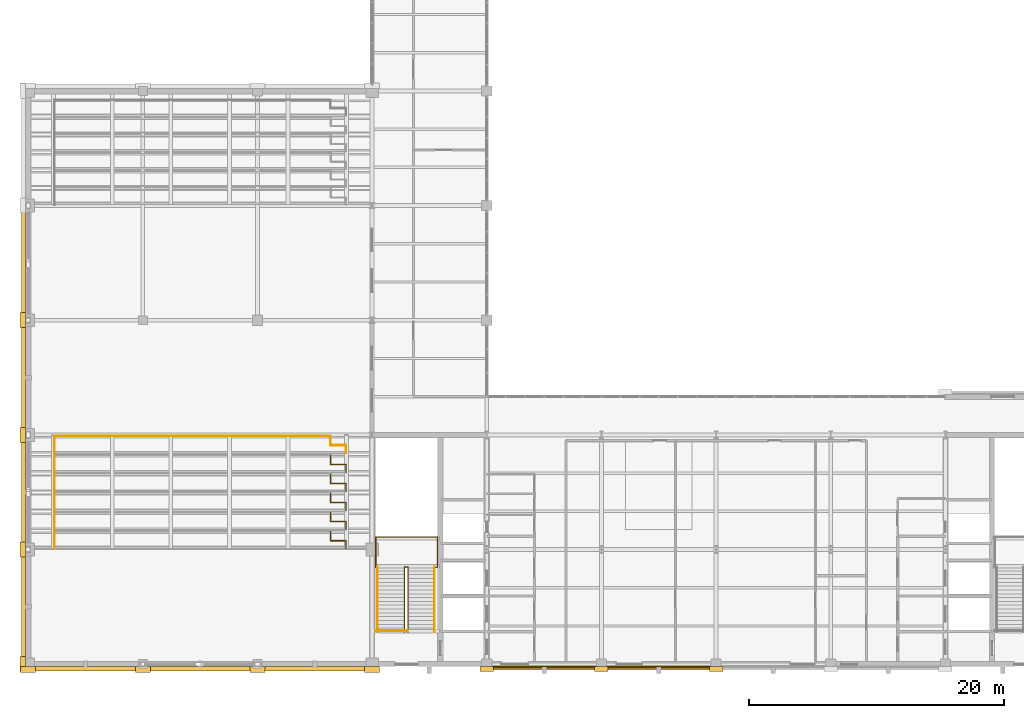
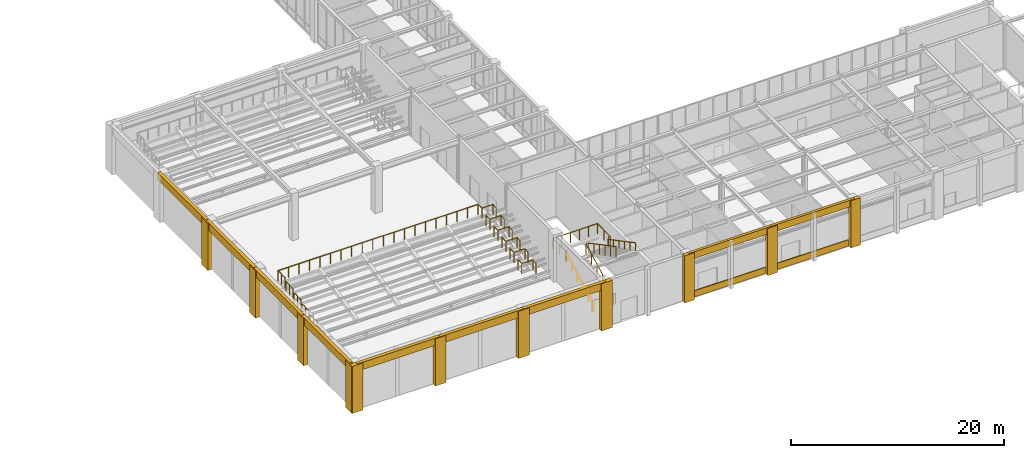
# One storey, part 72 of 77: 22 coverings, 16 railings.
"""IFC4 building model written with IfcOpenShell, lengths in metres."""

from ifc_helpers import new_model, si_unit, direction, frame, origin, origin_2d, place, context, subcontext, project, spatial, rectangle, circle, extrude, material, layer, layer_set, type_object, element, save


model = new_model("IFC4")

# Units and contexts
model_context = context("Model", 3, precision=1e-05, world=origin(), true_north=direction((0.0, 1.0)))
body_context = subcontext(model_context, "Body", "Model", "MODEL_VIEW")
ifc_project = project(units=[si_unit("LENGTHUNIT", "METRE"), si_unit("AREAUNIT", "SQUARE_METRE"), si_unit("VOLUMEUNIT", "CUBIC_METRE"), si_unit("PLANEANGLEUNIT", "RADIAN"), si_unit("MASSUNIT", "GRAM", prefix="KILO")], contexts=[model_context])

# Site, building, storey
site_placement = place(None, origin())
site = spatial("IfcSite", under=ifc_project, at=site_placement, CompositionType="ELEMENT")
building_placement = place(site_placement, origin())
building = spatial("IfcBuilding", under=site, at=building_placement, Name="Lykobir Media Centre", CompositionType="ELEMENT")
storey_placement = place(building_placement, origin())
storey = spatial("IfcBuildingStorey", under=building, at=storey_placement, Name="L00", CompositionType="ELEMENT", Elevation=0.0)

# Coverings
ifc_material_1 = material(Name="Honed Travertine Stone", Category="masonry")
ifc_layer = layer(ifc_material_1, 0.050048828125, Name="Honed Travertine Stone")
ifc_layer_set = layer_set([ifc_layer], Name="Honed Travertine Stone")
covering_type = type_object("IfcCoveringType", Name="CLD-TRAV", PredefinedType="CLADDING", material=ifc_layer_set)
covering_1_placement = place(storey_placement, frame((-0.360107421875, 31.5, 4.56005859375), z_axis=(0.0, 0.0, 1.0), x_axis=(0.0, -1.0, 0.0)))
element("IfcCovering", 1, at=covering_1_placement, inside=storey, type_object=covering_type, Name="Acoustic hall cornice band 152", PredefinedType="CLADDING", context=body_context, shape_type="SweptSolid", body=[
    extrude(rectangle(XDim=9.0, YDim=0.340087890625, at=origin_2d()), origin(), (0.0, 0.0, 1.0), 0.840087890625),
])
covering_2_placement = place(storey_placement, frame((-0.419921875, 27.0, 0.0), z_axis=(0.0, 0.0, 1.0), x_axis=(0.0, -1.0, 0.0)))
element("IfcCovering", 2, at=covering_2_placement, inside=storey, type_object=covering_type, Name="Stone pilaster 154", PredefinedType="CLADDING", context=body_context, shape_type="SweptSolid", body=[
    extrude(rectangle(XDim=1.179931640625, YDim=0.43994140625, at=origin_2d()), origin(), (0.0, 0.0, 1.0), 5.39990234375),
])
covering_3_placement = place(storey_placement, frame((-0.360107421875, 4.5, 4.56005859375), z_axis=(0.0, 0.0, 1.0), x_axis=(0.0, -1.0, 0.0)))
element("IfcCovering", 3, at=covering_3_placement, inside=storey, type_object=covering_type, Name="Acoustic hall cornice band 157", PredefinedType="CLADDING", context=body_context, shape_type="SweptSolid", body=[
    extrude(rectangle(XDim=9.0, YDim=0.340087890625, at=origin_2d()), origin(), (0.0, 0.0, 1.0), 0.840087890625),
])
for number, where, z_axis, x_axis, name in (
    (4, (-0.419921875, 9.0, 0.0), (0.0, 0.0, 1.0), (0.0, -1.0, 0.0), "Stone pilaster 158"),
    (5, (-0.419921875, 0.0, 0.0), (0.0, 0.0, 1.0), (0.0, -1.0, 0.0), "Stone pilaster 159"),
):
    element("IfcCovering", number, at=place(storey_placement, frame(where, z_axis=z_axis, x_axis=x_axis)), inside=storey, type_object=covering_type, Name=name, PredefinedType="CLADDING", context=body_context, shape_type="SweptSolid", body=[
        extrude(rectangle(XDim=1.179931640625, YDim=0.43994140625, at=origin_2d()), origin(), (0.0, 0.0, 1.0), 5.39990234375),
    ])
covering_4_placement = place(storey_placement, frame((-0.360107421875, 13.5, 4.56005859375), z_axis=(0.0, 0.0, 1.0), x_axis=(0.0, -1.0, 0.0)))
element("IfcCovering", 6, at=covering_4_placement, inside=storey, type_object=covering_type, Name="Acoustic hall cornice band 160", PredefinedType="CLADDING", context=body_context, shape_type="SweptSolid", body=[
    extrude(rectangle(XDim=9.0, YDim=0.340087890625, at=origin_2d()), origin(), (0.0, 0.0, 1.0), 0.840087890625),
])
covering_5_placement = place(storey_placement, frame((-0.419921875, 18.0, 0.0), z_axis=(0.0, 0.0, 1.0), x_axis=(0.0, -1.0, 0.0)))
element("IfcCovering", 7, at=covering_5_placement, inside=storey, type_object=covering_type, Name="Stone pilaster 161", PredefinedType="CLADDING", context=body_context, shape_type="SweptSolid", body=[
    extrude(rectangle(XDim=1.179931640625, YDim=0.43994140625, at=origin_2d()), origin(), (0.0, 0.0, 1.0), 5.39990234375),
])
for number, where, z_axis, x_axis, name in (
    (8, (-0.360107421875, 22.5, 4.56005859375), (0.0, 0.0, 1.0), (0.0, -1.0, 0.0), "Acoustic hall cornice band 162"),
    (9, (4.5, -0.360107421875, 4.56005859375), (0.0, 0.0, 1.0), (1.0, 0.0, 0.0), "Acoustic hall cornice band 163"),
):
    element("IfcCovering", number, at=place(storey_placement, frame(where, z_axis=z_axis, x_axis=x_axis)), inside=storey, type_object=covering_type, Name=name, PredefinedType="CLADDING", context=body_context, shape_type="SweptSolid", body=[
        extrude(rectangle(XDim=9.0, YDim=0.340087890625, at=origin_2d()), origin(), (0.0, 0.0, 1.0), 0.840087890625),
    ])
for number, where, z_axis, x_axis, name in (
    (10, (0.0, -0.419921875, 0.0), (0.0, 0.0, 1.0), (1.0, 0.0, 0.0), "Stone pilaster 164"),
    (11, (9.0, -0.419921875, 0.0), (0.0, 0.0, 1.0), (1.0, 0.0, 0.0), "Stone pilaster 165"),
):
    element("IfcCovering", number, at=place(storey_placement, frame(where, z_axis=z_axis, x_axis=x_axis)), inside=storey, type_object=covering_type, Name=name, PredefinedType="CLADDING", context=body_context, shape_type="SweptSolid", body=[
        extrude(rectangle(XDim=1.179931640625, YDim=0.43994140625, at=origin_2d()), origin(), (0.0, 0.0, 1.0), 5.39990234375),
    ])
covering_6_placement = place(storey_placement, frame((13.5, -0.360107421875, 4.56005859375), z_axis=(0.0, 0.0, 1.0), x_axis=(1.0, 0.0, 0.0)))
element("IfcCovering", 12, at=covering_6_placement, inside=storey, type_object=covering_type, Name="Acoustic hall cornice band 166", PredefinedType="CLADDING", context=body_context, shape_type="SweptSolid", body=[
    extrude(rectangle(XDim=9.0, YDim=0.340087890625, at=origin_2d()), origin(), (0.0, 0.0, 1.0), 0.840087890625),
])
covering_7_placement = place(storey_placement, frame((18.0, -0.419921875, 0.0), z_axis=(0.0, 0.0, 1.0), x_axis=(1.0, 0.0, 0.0)))
element("IfcCovering", 13, at=covering_7_placement, inside=storey, type_object=covering_type, Name="Stone pilaster 167", PredefinedType="CLADDING", context=body_context, shape_type="SweptSolid", body=[
    extrude(rectangle(XDim=1.179931640625, YDim=0.43994140625, at=origin_2d()), origin(), (0.0, 0.0, 1.0), 5.39990234375),
])
covering_8_placement = place(storey_placement, frame((22.5, -0.360107421875, 4.56005859375), z_axis=(0.0, 0.0, 1.0), x_axis=(1.0, 0.0, 0.0)))
element("IfcCovering", 14, at=covering_8_placement, inside=storey, type_object=covering_type, Name="Acoustic hall cornice band 168", PredefinedType="CLADDING", context=body_context, shape_type="SweptSolid", body=[
    extrude(rectangle(XDim=9.0, YDim=0.340087890625, at=origin_2d()), origin(), (0.0, 0.0, 1.0), 0.840087890625),
])
covering_9_placement = place(storey_placement, frame((27.0, -0.419921875, 0.0), z_axis=(0.0, 0.0, 1.0), x_axis=(1.0, 0.0, 0.0)))
element("IfcCovering", 15, at=covering_9_placement, inside=storey, type_object=covering_type, Name="Stone pilaster 169", PredefinedType="CLADDING", context=body_context, shape_type="SweptSolid", body=[
    extrude(rectangle(XDim=1.179931640625, YDim=0.43994140625, at=origin_2d()), origin(), (0.0, 0.0, 1.0), 5.39990234375),
])
for number, where, z_axis, x_axis, name in (
    (16, (36.0, -0.3798828125, 0.0), (0.0, 0.0, 1.0), (1.0, 0.0, 0.0), "Travertine column pier 170"),
    (17, (45.0, -0.3798828125, 0.0), (0.0, 0.0, 1.0), (1.0, 0.0, 0.0), "Travertine column pier 171"),
):
    element("IfcCovering", number, at=place(storey_placement, frame(where, z_axis=z_axis, x_axis=x_axis)), inside=storey, type_object=covering_type, Name=name, PredefinedType="CLADDING", context=body_context, shape_type="SweptSolid", body=[
        extrude(rectangle(XDim=1.06005859375, YDim=0.39990234375, at=origin_2d()), origin(), (0.0, 0.0, 1.0), 5.39990234375),
    ])
covering_10_placement = place(storey_placement, frame((40.5, -0.300048828125, 4.64013671875), z_axis=(0.0, 0.0, 1.0), x_axis=(1.0, 0.0, 0.0)))
element("IfcCovering", 18, at=covering_10_placement, inside=storey, type_object=covering_type, Name="Travertine spandrel stringcourse 172", PredefinedType="CLADDING", context=body_context, shape_type="SweptSolid", body=[
    extrude(rectangle(XDim=9.0, YDim=0.280029296875, at=origin_2d()), origin(), (0.0, 0.0, 1.0), 0.760009765625),
])
covering_11_placement = place(storey_placement, frame((40.5, -0.23095703125, 0.080078125), z_axis=(0.0, 0.0, 1.0), x_axis=(1.0, 0.0, 0.0)))
element("IfcCovering", 19, at=covering_11_placement, inside=storey, type_object=covering_type, Name="Facade spandrel apron 173", PredefinedType="CLADDING", context=body_context, shape_type="SweptSolid", body=[
    extrude(rectangle(XDim=7.830078125, YDim=0.110107421875, at=origin_2d()), origin(), (0.0, 0.0, 1.0), 0.719970703125),
])
covering_12_placement = place(storey_placement, frame((54.0, -0.3798828125, 0.0), z_axis=(0.0, 0.0, 1.0), x_axis=(1.0, 0.0, 0.0)))
element("IfcCovering", 20, at=covering_12_placement, inside=storey, type_object=covering_type, Name="Travertine column pier 174", PredefinedType="CLADDING", context=body_context, shape_type="SweptSolid", body=[
    extrude(rectangle(XDim=1.06005859375, YDim=0.39990234375, at=origin_2d()), origin(), (0.0, 0.0, 1.0), 5.39990234375),
])
covering_13_placement = place(storey_placement, frame((49.5, -0.300048828125, 4.64013671875), z_axis=(0.0, 0.0, 1.0), x_axis=(1.0, 0.0, 0.0)))
element("IfcCovering", 21, at=covering_13_placement, inside=storey, type_object=covering_type, Name="Travertine spandrel stringcourse 175", PredefinedType="CLADDING", context=body_context, shape_type="SweptSolid", body=[
    extrude(rectangle(XDim=9.0, YDim=0.280029296875, at=origin_2d()), origin(), (0.0, 0.0, 1.0), 0.760009765625),
])
covering_14_placement = place(storey_placement, frame((49.5, -0.23095703125, 0.080078125), z_axis=(0.0, 0.0, 1.0), x_axis=(1.0, 0.0, 0.0)))
element("IfcCovering", 22, at=covering_14_placement, inside=storey, type_object=covering_type, Name="Facade spandrel apron 176", PredefinedType="CLADDING", context=body_context, shape_type="SweptSolid", body=[
    extrude(rectangle(XDim=7.830078125, YDim=0.110107421875, at=origin_2d()), origin(), (0.0, 0.0, 1.0), 0.719970703125),
])

# Railings
ifc_material_2 = material(Name="Steel S355", Category="steel")
railing_type_1 = type_object("IfcRailingType", Name="GR-1200", PredefinedType="BALUSTRADE", material=ifc_material_2)
railing_1_placement = place(storey_placement, frame((27.27001953125, 2.6298828125, 0.0)))
element("IfcRailing", 23, at=railing_1_placement, inside=storey, type_object=railing_type_1, Name="ST-1 L00 arrival well guard", PredefinedType="BALUSTRADE", context=body_context, shape_type="SweptSolid", body=[
    extrude(circle(Radius=0.02392578125, at=origin_2d()), frame((0.0, 0.0, 1.17578125), z_axis=(1.0, 0.0, 0.0), x_axis=(0.0, 1.0, 0.0)), (0.0, 0.0, 1.0), 2.5400390625),
    extrude(circle(Radius=0.02099609375, at=origin_2d()), origin(), (0.0, 0.0, 1.0), 1.15185546875),
    extrude(circle(Radius=0.02099609375, at=origin_2d()), frame((0.8466796875, 0.0, 0.0)), (0.0, 0.0, 1.0), 1.15185546875),
    extrude(circle(Radius=0.02099609375, at=origin_2d()), frame((1.693359375, 0.0, 0.0)), (0.0, 0.0, 1.0), 1.15185546875),
    extrude(circle(Radius=0.02099609375, at=origin_2d()), frame((2.5400390625, 0.0, 0.0)), (0.0, 0.0, 1.0), 1.15185546875),
])
railing_2_placement = place(storey_placement, frame((29.530029296875, 2.530029296875, 0.0)))
element("IfcRailing", 24, at=railing_2_placement, inside=storey, type_object=railing_type_1, Name="ST-1 L00 inner well and slot guard", PredefinedType="BALUSTRADE", context=body_context, shape_type="SweptSolid", body=[
    extrude(circle(Radius=0.02392578125, at=origin_2d()), frame((0.0, 0.0, 1.17578125), z_axis=(0.0, 0.883785858079, 0.467891608238), x_axis=(-1.0, 0.0, 0.0)), (0.0, 0.0, 1.0), 5.7705078125),
    extrude(circle(Radius=0.02392578125, at=origin_2d()), frame((0.0, 5.099853515625, 3.8759765625), z_axis=(1.0, 0.0, 0.0), x_axis=(0.0, 1.0, 0.0)), (0.0, 0.0, 1.0), 0.280029296875),
    extrude(circle(Radius=0.02392578125, at=origin_2d()), frame((0.280029296875, 5.099853515625, 3.8759765625), z_axis=(0.0, -0.883785858079, 0.467891608238), x_axis=(1.0, 0.0, 0.0)), (0.0, 0.0, 1.0), 5.7705078125),
    extrude(circle(Radius=0.02099609375, at=origin_2d()), origin(), (0.0, 0.0, 1.0), 1.15185546875),
    extrude(circle(Radius=0.02099609375, at=origin_2d()), frame((0.0, 1.02001953125, 0.5400390625)), (0.0, 0.0, 1.0), 1.15185546875),
    extrude(circle(Radius=0.02099609375, at=origin_2d()), frame((0.0, 2.0400390625, 1.080078125)), (0.0, 0.0, 1.0), 1.15185546875),
    extrude(circle(Radius=0.02099609375, at=origin_2d()), frame((0.0, 3.059814453125, 1.619873046875)), (0.0, 0.0, 1.0), 1.15185546875),
    extrude(circle(Radius=0.02099609375, at=origin_2d()), frame((0.0, 4.079833984375, 2.159912109375)), (0.0, 0.0, 1.0), 1.15185546875),
    extrude(circle(Radius=0.02099609375, at=origin_2d()), frame((0.0, 5.099853515625, 2.699951171875)), (0.0, 0.0, 1.0), 1.15185546875),
    extrude(circle(Radius=0.02099609375, at=origin_2d()), frame((0.280029296875, 5.099853515625, 2.699951171875)), (0.0, 0.0, 1.0), 1.15185546875),
    extrude(circle(Radius=0.02099609375, at=origin_2d()), frame((0.280029296875, 4.079833984375, 3.239990234375)), (0.0, 0.0, 1.0), 1.15185546875),
    extrude(circle(Radius=0.02099609375, at=origin_2d()), frame((0.280029296875, 3.059814453125, 3.780029296875)), (0.0, 0.0, 1.0), 1.15185546875),
    extrude(circle(Radius=0.02099609375, at=origin_2d()), frame((0.280029296875, 2.0400390625, 4.31982421875)), (0.0, 0.0, 1.0), 1.15185546875),
    extrude(circle(Radius=0.02099609375, at=origin_2d()), frame((0.280029296875, 1.02001953125, 4.85986328125)), (0.0, 0.0, 1.0), 1.15185546875),
    extrude(circle(Radius=0.02099609375, at=origin_2d()), frame((0.280029296875, 0.0, 5.39990234375)), (0.0, 0.0, 1.0), 1.15185546875),
])
railing_3_placement = place(storey_placement, frame((27.389892578125, 7.590087890625, 2.699951171875)))
element("IfcRailing", 25, at=railing_3_placement, inside=storey, type_object=railing_type_1, Name="ST-1 L00 half-landing perimeter guard", PredefinedType="BALUSTRADE", context=body_context, shape_type="SweptSolid", body=[
    extrude(circle(Radius=0.02392578125, at=origin_2d()), frame((0.0, 0.0, 1.17578125), z_axis=(-1.0, 0.0, 0.0), x_axis=(0.0, -1.0, 0.0)), (0.0, 0.0, 1.0), 0.10986328125),
    extrude(circle(Radius=0.02392578125, at=origin_2d()), frame((-0.10986328125, 0.0, 1.17578125), z_axis=(0.0, 1.0, 0.0), x_axis=(-1.0, 0.0, 0.0)), (0.0, 0.0, 1.0), 2.39990234375),
    extrude(circle(Radius=0.02392578125, at=origin_2d()), frame((-0.10986328125, 2.39990234375, 1.17578125), z_axis=(1.0, 0.0, 0.0), x_axis=(0.0, 1.0, 0.0)), (0.0, 0.0, 1.0), 4.840087890625),
    extrude(circle(Radius=0.02392578125, at=origin_2d()), frame((4.730224609375, 2.39990234375, 1.17578125), z_axis=(0.0, -1.0, 0.0), x_axis=(1.0, 0.0, 0.0)), (0.0, 0.0, 1.0), 2.39990234375),
    extrude(circle(Radius=0.02392578125, at=origin_2d()), frame((4.730224609375, 0.0, 1.17578125), z_axis=(-1.0, 0.0, 0.0), x_axis=(0.0, -1.0, 0.0)), (0.0, 0.0, 1.0), 0.170166015625),
    extrude(circle(Radius=0.02099609375, at=origin_2d()), origin(), (0.0, 0.0, 1.0), 1.15185546875),
    extrude(circle(Radius=0.02099609375, at=origin_2d()), frame((-0.10986328125, 0.0, 0.0)), (0.0, 0.0, 1.0), 1.15185546875),
    extrude(circle(Radius=0.02099609375, at=origin_2d()), frame((-0.10986328125, 1.199951171875, 0.0)), (0.0, 0.0, 1.0), 1.15185546875),
    extrude(circle(Radius=0.02099609375, at=origin_2d()), frame((-0.10986328125, 2.39990234375, 0.0)), (0.0, 0.0, 1.0), 1.15185546875),
    extrude(circle(Radius=0.02099609375, at=origin_2d()), frame((0.858154296875, 2.39990234375, 0.0)), (0.0, 0.0, 1.0), 1.15185546875),
    extrude(circle(Radius=0.02099609375, at=origin_2d()), frame((1.826171875, 2.39990234375, 0.0)), (0.0, 0.0, 1.0), 1.15185546875),
    extrude(circle(Radius=0.02099609375, at=origin_2d()), frame((2.794189453125, 2.39990234375, 0.0)), (0.0, 0.0, 1.0), 1.15185546875),
    extrude(circle(Radius=0.02099609375, at=origin_2d()), frame((3.76220703125, 2.39990234375, 0.0)), (0.0, 0.0, 1.0), 1.15185546875),
    extrude(circle(Radius=0.02099609375, at=origin_2d()), frame((4.730224609375, 2.39990234375, 0.0)), (0.0, 0.0, 1.0), 1.15185546875),
    extrude(circle(Radius=0.02099609375, at=origin_2d()), frame((4.730224609375, 1.199951171875, 0.0)), (0.0, 0.0, 1.0), 1.15185546875),
    extrude(circle(Radius=0.02099609375, at=origin_2d()), frame((4.730224609375, 0.0, 0.0)), (0.0, 0.0, 1.0), 1.15185546875),
    extrude(circle(Radius=0.02099609375, at=origin_2d()), frame((4.56005859375, 0.0, 0.0)), (0.0, 0.0, 1.0), 1.15185546875),
])
railing_4_placement = place(storey_placement, frame((2.06005859375, 9.06005859375, 1.239990234375)))
element("IfcRailing", 26, at=railing_4_placement, inside=storey, type_object=railing_type_1, Name="SCR1 west tier 1 balustrade", PredefinedType="BALUSTRADE", context=body_context, shape_type="SweptSolid", body=[
    extrude(circle(Radius=0.02392578125, at=origin_2d()), frame((0.0, 0.0, 1.17578125), z_axis=(0.0, 1.0, 0.0), x_axis=(-1.0, 0.0, 0.0)), (0.0, 0.0, 1.0), 1.33984375),
    extrude(circle(Radius=0.02099609375, at=origin_2d()), origin(), (0.0, 0.0, 1.0), 1.15185546875),
    extrude(circle(Radius=0.02099609375, at=origin_2d()), frame((0.0, 0.669921875, 0.0)), (0.0, 0.0, 1.0), 1.15185546875),
    extrude(circle(Radius=0.02099609375, at=origin_2d()), frame((0.0, 1.33984375, 0.0)), (0.0, 0.0, 1.0), 1.15185546875),
])
railing_5_placement = place(storey_placement, frame((24.93994140625, 9.06005859375, 1.239990234375)))
element("IfcRailing", 27, at=railing_5_placement, inside=storey, type_object=railing_type_1, Name="SCR1 east tier 1 balustrade", PredefinedType="BALUSTRADE", context=body_context, shape_type="SweptSolid", body=[
    extrude(circle(Radius=0.02392578125, at=origin_2d()), frame((0.0, 0.0, 1.17578125), z_axis=(0.0, 1.0, 0.0), x_axis=(-1.0, 0.0, 0.0)), (0.0, 0.0, 1.0), 0.6298828125),
    extrude(circle(Radius=0.02392578125, at=origin_2d()), frame((0.0, 0.6298828125, 1.17578125), z_axis=(-1.0, 0.0, 0.0), x_axis=(0.0, -1.0, 0.0)), (0.0, 0.0, 1.0), 1.199951171875),
    extrude(circle(Radius=0.02392578125, at=origin_2d()), frame((-1.199951171875, 0.6298828125, 1.17578125), z_axis=(0.0, 1.0, 0.0), x_axis=(-1.0, 0.0, 0.0)), (0.0, 0.0, 1.0), 0.7099609375),
    extrude(circle(Radius=0.02099609375, at=origin_2d()), origin(), (0.0, 0.0, 1.0), 1.15185546875),
    extrude(circle(Radius=0.02099609375, at=origin_2d()), frame((0.0, 0.6298828125, 0.0)), (0.0, 0.0, 1.0), 1.15185546875),
    extrude(circle(Radius=0.02099609375, at=origin_2d()), frame((-1.199951171875, 0.6298828125, 0.0)), (0.0, 0.0, 1.0), 1.15185546875),
    extrude(circle(Radius=0.02099609375, at=origin_2d()), frame((-1.199951171875, 1.33984375, 0.0)), (0.0, 0.0, 1.0), 1.15185546875),
])
railing_6_placement = place(storey_placement, frame((2.06005859375, 10.56005859375, 1.60009765625)))
element("IfcRailing", 28, at=railing_6_placement, inside=storey, type_object=railing_type_1, Name="SCR1 west tier 2 balustrade", PredefinedType="BALUSTRADE", context=body_context, shape_type="SweptSolid", body=[
    extrude(circle(Radius=0.02392578125, at=origin_2d()), frame((0.0, 0.0, 1.17578125), z_axis=(0.0, 1.0, 0.0), x_axis=(-1.0, 0.0, 0.0)), (0.0, 0.0, 1.0), 1.33984375),
    extrude(circle(Radius=0.02099609375, at=origin_2d()), origin(), (0.0, 0.0, 1.0), 1.15185546875),
    extrude(circle(Radius=0.02099609375, at=origin_2d()), frame((0.0, 0.669921875, 0.0)), (0.0, 0.0, 1.0), 1.15185546875),
    extrude(circle(Radius=0.02099609375, at=origin_2d()), frame((0.0, 1.33984375, 0.0)), (0.0, 0.0, 1.0), 1.15185546875),
])
railing_7_placement = place(storey_placement, frame((24.93994140625, 10.56005859375, 1.60009765625)))
element("IfcRailing", 29, at=railing_7_placement, inside=storey, type_object=railing_type_1, Name="SCR1 east tier 2 balustrade", PredefinedType="BALUSTRADE", context=body_context, shape_type="SweptSolid", body=[
    extrude(circle(Radius=0.02392578125, at=origin_2d()), frame((0.0, 0.0, 1.17578125), z_axis=(0.0, 1.0, 0.0), x_axis=(-1.0, 0.0, 0.0)), (0.0, 0.0, 1.0), 0.6298828125),
    extrude(circle(Radius=0.02392578125, at=origin_2d()), frame((0.0, 0.6298828125, 1.17578125), z_axis=(-1.0, 0.0, 0.0), x_axis=(0.0, -1.0, 0.0)), (0.0, 0.0, 1.0), 1.199951171875),
    extrude(circle(Radius=0.02392578125, at=origin_2d()), frame((-1.199951171875, 0.6298828125, 1.17578125), z_axis=(0.0, 1.0, 0.0), x_axis=(-1.0, 0.0, 0.0)), (0.0, 0.0, 1.0), 0.7099609375),
    extrude(circle(Radius=0.02099609375, at=origin_2d()), origin(), (0.0, 0.0, 1.0), 1.15185546875),
    extrude(circle(Radius=0.02099609375, at=origin_2d()), frame((0.0, 0.6298828125, 0.0)), (0.0, 0.0, 1.0), 1.15185546875),
    extrude(circle(Radius=0.02099609375, at=origin_2d()), frame((-1.199951171875, 0.6298828125, 0.0)), (0.0, 0.0, 1.0), 1.15185546875),
    extrude(circle(Radius=0.02099609375, at=origin_2d()), frame((-1.199951171875, 1.33984375, 0.0)), (0.0, 0.0, 1.0), 1.15185546875),
])
railing_8_placement = place(storey_placement, frame((2.06005859375, 12.06005859375, 1.9599609375)))
element("IfcRailing", 30, at=railing_8_placement, inside=storey, type_object=railing_type_1, Name="SCR1 west tier 3 balustrade", PredefinedType="BALUSTRADE", context=body_context, shape_type="SweptSolid", body=[
    extrude(circle(Radius=0.02392578125, at=origin_2d()), frame((0.0, 0.0, 1.17578125), z_axis=(0.0, 1.0, 0.0), x_axis=(-1.0, 0.0, 0.0)), (0.0, 0.0, 1.0), 1.33984375),
    extrude(circle(Radius=0.02099609375, at=origin_2d()), origin(), (0.0, 0.0, 1.0), 1.15185546875),
    extrude(circle(Radius=0.02099609375, at=origin_2d()), frame((0.0, 0.669921875, 0.0)), (0.0, 0.0, 1.0), 1.15185546875),
    extrude(circle(Radius=0.02099609375, at=origin_2d()), frame((0.0, 1.33984375, 0.0)), (0.0, 0.0, 1.0), 1.15185546875),
])
railing_9_placement = place(storey_placement, frame((24.93994140625, 12.06005859375, 1.9599609375)))
element("IfcRailing", 31, at=railing_9_placement, inside=storey, type_object=railing_type_1, Name="SCR1 east tier 3 balustrade", PredefinedType="BALUSTRADE", context=body_context, shape_type="SweptSolid", body=[
    extrude(circle(Radius=0.02392578125, at=origin_2d()), frame((0.0, 0.0, 1.17578125), z_axis=(0.0, 1.0, 0.0), x_axis=(-1.0, 0.0, 0.0)), (0.0, 0.0, 1.0), 0.6298828125),
    extrude(circle(Radius=0.02392578125, at=origin_2d()), frame((0.0, 0.6298828125, 1.17578125), z_axis=(-1.0, 0.0, 0.0), x_axis=(0.0, -1.0, 0.0)), (0.0, 0.0, 1.0), 1.199951171875),
    extrude(circle(Radius=0.02392578125, at=origin_2d()), frame((-1.199951171875, 0.6298828125, 1.17578125), z_axis=(0.0, 1.0, 0.0), x_axis=(-1.0, 0.0, 0.0)), (0.0, 0.0, 1.0), 0.7099609375),
    extrude(circle(Radius=0.02099609375, at=origin_2d()), origin(), (0.0, 0.0, 1.0), 1.15185546875),
    extrude(circle(Radius=0.02099609375, at=origin_2d()), frame((0.0, 0.6298828125, 0.0)), (0.0, 0.0, 1.0), 1.15185546875),
    extrude(circle(Radius=0.02099609375, at=origin_2d()), frame((-1.199951171875, 0.6298828125, 0.0)), (0.0, 0.0, 1.0), 1.15185546875),
    extrude(circle(Radius=0.02099609375, at=origin_2d()), frame((-1.199951171875, 1.33984375, 0.0)), (0.0, 0.0, 1.0), 1.15185546875),
])
railing_10_placement = place(storey_placement, frame((2.06005859375, 13.56005859375, 2.320068359375)))
element("IfcRailing", 32, at=railing_10_placement, inside=storey, type_object=railing_type_1, Name="SCR1 west tier 4 balustrade", PredefinedType="BALUSTRADE", context=body_context, shape_type="SweptSolid", body=[
    extrude(circle(Radius=0.02392578125, at=origin_2d()), frame((0.0, 0.0, 1.17578125), z_axis=(0.0, 1.0, 0.0), x_axis=(-1.0, 0.0, 0.0)), (0.0, 0.0, 1.0), 1.33984375),
    extrude(circle(Radius=0.02099609375, at=origin_2d()), origin(), (0.0, 0.0, 1.0), 1.15185546875),
    extrude(circle(Radius=0.02099609375, at=origin_2d()), frame((0.0, 0.669921875, 0.0)), (0.0, 0.0, 1.0), 1.15185546875),
    extrude(circle(Radius=0.02099609375, at=origin_2d()), frame((0.0, 1.33984375, 0.0)), (0.0, 0.0, 1.0), 1.15185546875),
])
railing_11_placement = place(storey_placement, frame((24.93994140625, 13.56005859375, 2.320068359375)))
element("IfcRailing", 33, at=railing_11_placement, inside=storey, type_object=railing_type_1, Name="SCR1 east tier 4 balustrade", PredefinedType="BALUSTRADE", context=body_context, shape_type="SweptSolid", body=[
    extrude(circle(Radius=0.02392578125, at=origin_2d()), frame((0.0, 0.0, 1.17578125), z_axis=(0.0, 1.0, 0.0), x_axis=(-1.0, 0.0, 0.0)), (0.0, 0.0, 1.0), 0.6298828125),
    extrude(circle(Radius=0.02392578125, at=origin_2d()), frame((0.0, 0.6298828125, 1.17578125), z_axis=(-1.0, 0.0, 0.0), x_axis=(0.0, -1.0, 0.0)), (0.0, 0.0, 1.0), 1.199951171875),
    extrude(circle(Radius=0.02392578125, at=origin_2d()), frame((-1.199951171875, 0.6298828125, 1.17578125), z_axis=(0.0, 1.0, 0.0), x_axis=(-1.0, 0.0, 0.0)), (0.0, 0.0, 1.0), 0.7099609375),
    extrude(circle(Radius=0.02099609375, at=origin_2d()), origin(), (0.0, 0.0, 1.0), 1.15185546875),
    extrude(circle(Radius=0.02099609375, at=origin_2d()), frame((0.0, 0.6298828125, 0.0)), (0.0, 0.0, 1.0), 1.15185546875),
    extrude(circle(Radius=0.02099609375, at=origin_2d()), frame((-1.199951171875, 0.6298828125, 0.0)), (0.0, 0.0, 1.0), 1.15185546875),
    extrude(circle(Radius=0.02099609375, at=origin_2d()), frame((-1.199951171875, 1.33984375, 0.0)), (0.0, 0.0, 1.0), 1.15185546875),
])
railing_12_placement = place(storey_placement, frame((2.06005859375, 15.06005859375, 2.679931640625)))
element("IfcRailing", 34, at=railing_12_placement, inside=storey, type_object=railing_type_1, Name="SCR1 west tier 5 balustrade", PredefinedType="BALUSTRADE", context=body_context, shape_type="SweptSolid", body=[
    extrude(circle(Radius=0.02392578125, at=origin_2d()), frame((0.0, 0.0, 1.17578125), z_axis=(0.0, 1.0, 0.0), x_axis=(-1.0, 0.0, 0.0)), (0.0, 0.0, 1.0), 1.33984375),
    extrude(circle(Radius=0.02099609375, at=origin_2d()), origin(), (0.0, 0.0, 1.0), 1.15185546875),
    extrude(circle(Radius=0.02099609375, at=origin_2d()), frame((0.0, 0.669921875, 0.0)), (0.0, 0.0, 1.0), 1.15185546875),
    extrude(circle(Radius=0.02099609375, at=origin_2d()), frame((0.0, 1.33984375, 0.0)), (0.0, 0.0, 1.0), 1.15185546875),
])
railing_13_placement = place(storey_placement, frame((24.93994140625, 15.06005859375, 2.679931640625)))
element("IfcRailing", 35, at=railing_13_placement, inside=storey, type_object=railing_type_1, Name="SCR1 east tier 5 balustrade", PredefinedType="BALUSTRADE", context=body_context, shape_type="SweptSolid", body=[
    extrude(circle(Radius=0.02392578125, at=origin_2d()), frame((0.0, 0.0, 1.17578125), z_axis=(0.0, 1.0, 0.0), x_axis=(-1.0, 0.0, 0.0)), (0.0, 0.0, 1.0), 0.6298828125),
    extrude(circle(Radius=0.02392578125, at=origin_2d()), frame((0.0, 0.6298828125, 1.17578125), z_axis=(-1.0, 0.0, 0.0), x_axis=(0.0, -1.0, 0.0)), (0.0, 0.0, 1.0), 1.199951171875),
    extrude(circle(Radius=0.02392578125, at=origin_2d()), frame((-1.199951171875, 0.6298828125, 1.17578125), z_axis=(0.0, 1.0, 0.0), x_axis=(-1.0, 0.0, 0.0)), (0.0, 0.0, 1.0), 0.7099609375),
    extrude(circle(Radius=0.02099609375, at=origin_2d()), origin(), (0.0, 0.0, 1.0), 1.15185546875),
    extrude(circle(Radius=0.02099609375, at=origin_2d()), frame((0.0, 0.6298828125, 0.0)), (0.0, 0.0, 1.0), 1.15185546875),
    extrude(circle(Radius=0.02099609375, at=origin_2d()), frame((-1.199951171875, 0.6298828125, 0.0)), (0.0, 0.0, 1.0), 1.15185546875),
    extrude(circle(Radius=0.02099609375, at=origin_2d()), frame((-1.199951171875, 1.33984375, 0.0)), (0.0, 0.0, 1.0), 1.15185546875),
])
railing_14_placement = place(storey_placement, frame((2.06005859375, 16.56005859375, 3.0400390625)))
element("IfcRailing", 36, at=railing_14_placement, inside=storey, type_object=railing_type_1, Name="SCR1 rear tier 6 balustrade", PredefinedType="BALUSTRADE", context=body_context, shape_type="SweptSolid", body=[
    extrude(circle(Radius=0.02392578125, at=origin_2d()), frame((0.0, 0.0, 1.17578125), z_axis=(0.0, 1.0, 0.0), x_axis=(-1.0, 0.0, 0.0)), (0.0, 0.0, 1.0), 1.33984375),
    extrude(circle(Radius=0.02392578125, at=origin_2d()), frame((0.0, 1.33984375, 1.17578125), z_axis=(1.0, 0.0, 0.0), x_axis=(0.0, 1.0, 0.0)), (0.0, 0.0, 1.0), 21.679931640625),
    extrude(circle(Radius=0.02392578125, at=origin_2d()), frame((21.679931640625, 1.33984375, 1.17578125), z_axis=(0.0, -1.0, 0.0), x_axis=(1.0, 0.0, 0.0)), (0.0, 0.0, 1.0), 0.7099609375),
    extrude(circle(Radius=0.02392578125, at=origin_2d()), frame((21.679931640625, 0.6298828125, 1.17578125), z_axis=(1.0, 0.0, 0.0), x_axis=(0.0, 1.0, 0.0)), (0.0, 0.0, 1.0), 1.199951171875),
    extrude(circle(Radius=0.02392578125, at=origin_2d()), frame((22.8798828125, 0.6298828125, 1.17578125), z_axis=(0.0, -1.0, 0.0), x_axis=(1.0, 0.0, 0.0)), (0.0, 0.0, 1.0), 0.6298828125),
    extrude(circle(Radius=0.02099609375, at=origin_2d()), origin(), (0.0, 0.0, 1.0), 1.15185546875),
    extrude(circle(Radius=0.02099609375, at=origin_2d()), frame((0.0, 0.669921875, 0.0)), (0.0, 0.0, 1.0), 1.15185546875),
    extrude(circle(Radius=0.02099609375, at=origin_2d()), frame((0.0, 1.33984375, 0.0)), (0.0, 0.0, 1.0), 1.15185546875),
    extrude(circle(Radius=0.02099609375, at=origin_2d()), frame((1.14111328125, 1.33984375, 0.0)), (0.0, 0.0, 1.0), 1.15185546875),
    extrude(circle(Radius=0.02099609375, at=origin_2d()), frame((2.281982421875, 1.33984375, 0.0)), (0.0, 0.0, 1.0), 1.15185546875),
    extrude(circle(Radius=0.02099609375, at=origin_2d()), frame((3.423095703125, 1.33984375, 0.0)), (0.0, 0.0, 1.0), 1.15185546875),
    extrude(circle(Radius=0.02099609375, at=origin_2d()), frame((4.564208984375, 1.33984375, 0.0)), (0.0, 0.0, 1.0), 1.15185546875),
    extrude(circle(Radius=0.02099609375, at=origin_2d()), frame((5.705322265625, 1.33984375, 0.0)), (0.0, 0.0, 1.0), 1.15185546875),
    extrude(circle(Radius=0.02099609375, at=origin_2d()), frame((6.84619140625, 1.33984375, 0.0)), (0.0, 0.0, 1.0), 1.15185546875),
    extrude(circle(Radius=0.02099609375, at=origin_2d()), frame((7.9873046875, 1.33984375, 0.0)), (0.0, 0.0, 1.0), 1.15185546875),
    extrude(circle(Radius=0.02099609375, at=origin_2d()), frame((9.12841796875, 1.33984375, 0.0)), (0.0, 0.0, 1.0), 1.15185546875),
    extrude(circle(Radius=0.02099609375, at=origin_2d()), frame((10.26953125, 1.33984375, 0.0)), (0.0, 0.0, 1.0), 1.15185546875),
    extrude(circle(Radius=0.02099609375, at=origin_2d()), frame((11.410400390625, 1.33984375, 0.0)), (0.0, 0.0, 1.0), 1.15185546875),
    extrude(circle(Radius=0.02099609375, at=origin_2d()), frame((12.551513671875, 1.33984375, 0.0)), (0.0, 0.0, 1.0), 1.15185546875),
    extrude(circle(Radius=0.02099609375, at=origin_2d()), frame((13.692626953125, 1.33984375, 0.0)), (0.0, 0.0, 1.0), 1.15185546875),
    extrude(circle(Radius=0.02099609375, at=origin_2d()), frame((14.833740234375, 1.33984375, 0.0)), (0.0, 0.0, 1.0), 1.15185546875),
    extrude(circle(Radius=0.02099609375, at=origin_2d()), frame((15.974609375, 1.33984375, 0.0)), (0.0, 0.0, 1.0), 1.15185546875),
    extrude(circle(Radius=0.02099609375, at=origin_2d()), frame((17.11572265625, 1.33984375, 0.0)), (0.0, 0.0, 1.0), 1.15185546875),
    extrude(circle(Radius=0.02099609375, at=origin_2d()), frame((18.2568359375, 1.33984375, 0.0)), (0.0, 0.0, 1.0), 1.15185546875),
    extrude(circle(Radius=0.02099609375, at=origin_2d()), frame((19.39794921875, 1.33984375, 0.0)), (0.0, 0.0, 1.0), 1.15185546875),
    extrude(circle(Radius=0.02099609375, at=origin_2d()), frame((20.538818359375, 1.33984375, 0.0)), (0.0, 0.0, 1.0), 1.15185546875),
    extrude(circle(Radius=0.02099609375, at=origin_2d()), frame((21.679931640625, 1.33984375, 0.0)), (0.0, 0.0, 1.0), 1.15185546875),
    extrude(circle(Radius=0.02099609375, at=origin_2d()), frame((21.679931640625, 0.6298828125, 0.0)), (0.0, 0.0, 1.0), 1.15185546875),
    extrude(circle(Radius=0.02099609375, at=origin_2d()), frame((22.8798828125, 0.6298828125, 0.0)), (0.0, 0.0, 1.0), 1.15185546875),
    extrude(circle(Radius=0.02099609375, at=origin_2d()), frame((22.8798828125, 0.0, 0.0)), (0.0, 0.0, 1.0), 1.15185546875),
])
railing_type_2 = type_object("IfcRailingType", Name="HR-0900", PredefinedType="HANDRAIL", material=ifc_material_2)
railing_15_placement = place(storey_placement, frame((27.429931640625, 2.530029296875, 0.0)))
element("IfcRailing", 37, at=railing_15_placement, inside=storey, type_object=railing_type_2, Name="ST-1 L00 F1 wall handrail", PredefinedType="HANDRAIL", context=body_context, shape_type="SweptSolid", body=[
    extrude(circle(Radius=0.02392578125, at=origin_2d()), frame((0.0, 0.0, 0.8759765625), z_axis=(0.0, 0.883785858079, 0.467891608238), x_axis=(-1.0, 0.0, 0.0)), (0.0, 0.0, 1.0), 5.7705078125),
    extrude(circle(Radius=0.02099609375, at=origin_2d()), origin(), (0.0, 0.0, 1.0), 0.851806640625),
    extrude(circle(Radius=0.02099609375, at=origin_2d()), frame((0.0, 1.02001953125, 0.5400390625)), (0.0, 0.0, 1.0), 0.851806640625),
    extrude(circle(Radius=0.02099609375, at=origin_2d()), frame((0.0, 2.0400390625, 1.080078125)), (0.0, 0.0, 1.0), 0.851806640625),
    extrude(circle(Radius=0.02099609375, at=origin_2d()), frame((0.0, 3.059814453125, 1.619873046875)), (0.0, 0.0, 1.0), 0.851806640625),
    extrude(circle(Radius=0.02099609375, at=origin_2d()), frame((0.0, 4.079833984375, 2.159912109375)), (0.0, 0.0, 1.0), 0.851806640625),
    extrude(circle(Radius=0.02099609375, at=origin_2d()), frame((0.0, 5.099853515625, 2.699951171875)), (0.0, 0.0, 1.0), 0.851806640625),
])
railing_16_placement = place(storey_placement, frame((31.909912109375, 7.6298828125, 2.699951171875)))
element("IfcRailing", 38, at=railing_16_placement, inside=storey, type_object=railing_type_2, Name="ST-1 L00 F2 wall handrail", PredefinedType="HANDRAIL", context=body_context, shape_type="SweptSolid", body=[
    extrude(circle(Radius=0.02392578125, at=origin_2d()), frame((0.0, 0.0, 0.8759765625), z_axis=(0.0, -0.883785858079, 0.467891608238), x_axis=(1.0, 0.0, 0.0)), (0.0, 0.0, 1.0), 5.7705078125),
    extrude(circle(Radius=0.02099609375, at=origin_2d()), origin(), (0.0, 0.0, 1.0), 0.851806640625),
    extrude(circle(Radius=0.02099609375, at=origin_2d()), frame((0.0, -1.02001953125, 0.5400390625)), (0.0, 0.0, 1.0), 0.851806640625),
    extrude(circle(Radius=0.02099609375, at=origin_2d()), frame((0.0, -2.0400390625, 1.080078125)), (0.0, 0.0, 1.0), 0.851806640625),
    extrude(circle(Radius=0.02099609375, at=origin_2d()), frame((0.0, -3.059814453125, 1.619873046875)), (0.0, 0.0, 1.0), 0.851806640625),
    extrude(circle(Radius=0.02099609375, at=origin_2d()), frame((0.0, -4.079833984375, 2.159912109375)), (0.0, 0.0, 1.0), 0.851806640625),
    extrude(circle(Radius=0.02099609375, at=origin_2d()), frame((0.0, -5.099853515625, 2.699951171875)), (0.0, 0.0, 1.0), 0.851806640625),
])

save(model, "model.ifc")
